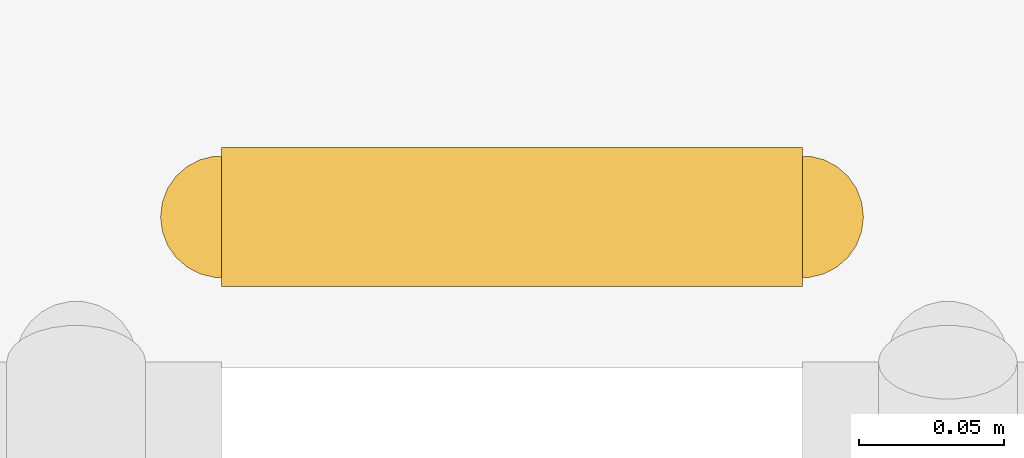
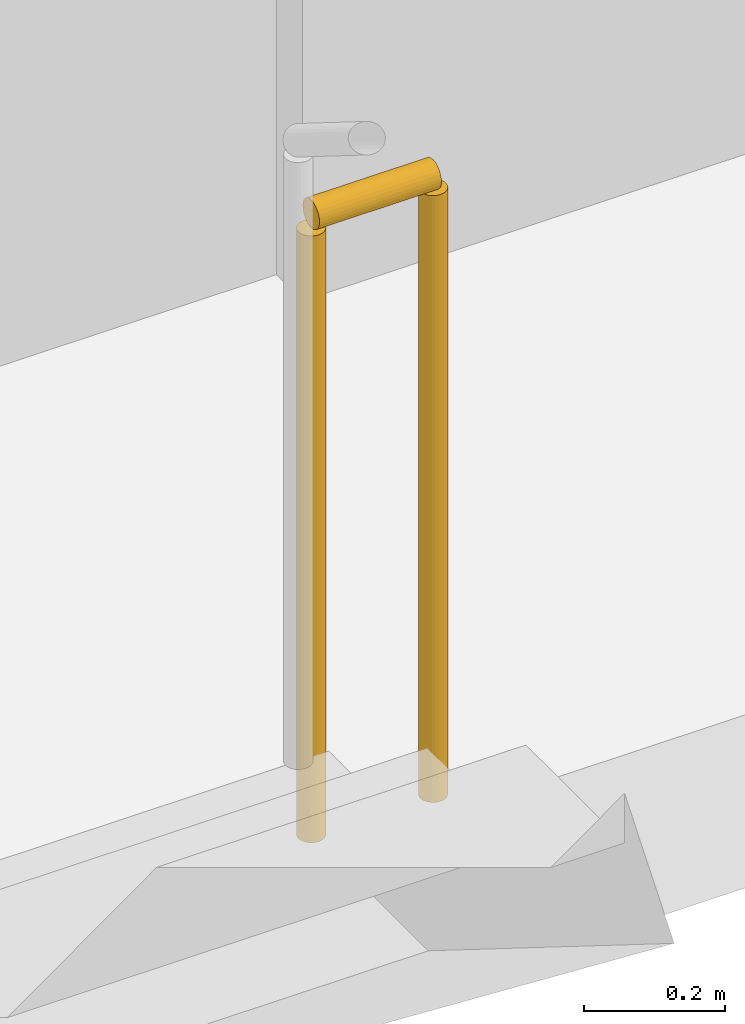
# One storey, part 23 of 23: 1 railing.
"""IFC4 building model written with IfcOpenShell, lengths in metres."""

from ifc_helpers import new_model, si_unit, direction, frame, origin, origin_2d, place, context, subcontext, project, spatial, circle, extrude, material, type_object, element, save


model = new_model("IFC4")

# Units and contexts
model_context = context("Model", 3, precision=1e-05, world=origin(), true_north=direction((0.0, 1.0)))
body_context = subcontext(model_context, "Body", "Model", "MODEL_VIEW")
ifc_project = project(units=[si_unit("LENGTHUNIT", "METRE"), si_unit("AREAUNIT", "SQUARE_METRE"), si_unit("VOLUMEUNIT", "CUBIC_METRE"), si_unit("PLANEANGLEUNIT", "RADIAN"), si_unit("MASSUNIT", "GRAM", prefix="KILO")], contexts=[model_context])

# Site, building, storey
site_placement = place(None, origin())
site = spatial("IfcSite", under=ifc_project, at=site_placement, CompositionType="ELEMENT")
building_placement = place(site_placement, origin())
building = spatial("IfcBuilding", under=site, at=building_placement, Name="Kiln Ring Residences", CompositionType="ELEMENT")
storey_placement = place(building_placement, frame((0.0, 0.0, 118.300048828125)))
storey = spatial("IfcBuildingStorey", under=building, at=storey_placement, Name="L30", CompositionType="ELEMENT", Elevation=118.300048828125)

# Railing
ifc_material = material(Name="Stainless steel", Category="steel")
railing_type = type_object("IfcRailingType", Name="CORE-STAIR-GUARD", PredefinedType="GUARDRAIL", material=ifc_material)
railing_placement = place(storey_placement, frame((22.0, 8.449951171875, 0.0)))
element("IfcRailing", 1, at=railing_placement, inside=storey, type_object=railing_type, Name="L30 E-STN stair guard 4", PredefinedType="GUARDRAIL", context=body_context, shape_type="SweptSolid", body=[
    extrude(circle(Radius=0.02392578125, at=origin_2d()), frame((0.0, 0.0, 1.076171875), z_axis=(1.0, 0.0, 0.0), x_axis=(0.0, 1.0, 0.0)), (0.0, 0.0, 1.0), 0.199951171875),
    extrude(circle(Radius=0.02099609375, at=origin_2d()), origin(), (0.0, 0.0, 1.0), 1.052001953125),
    extrude(circle(Radius=0.02099609375, at=origin_2d()), frame((0.199951171875, 0.0, 0.0)), (0.0, 0.0, 1.0), 1.052001953125),
])

save(model, "model.ifc")
